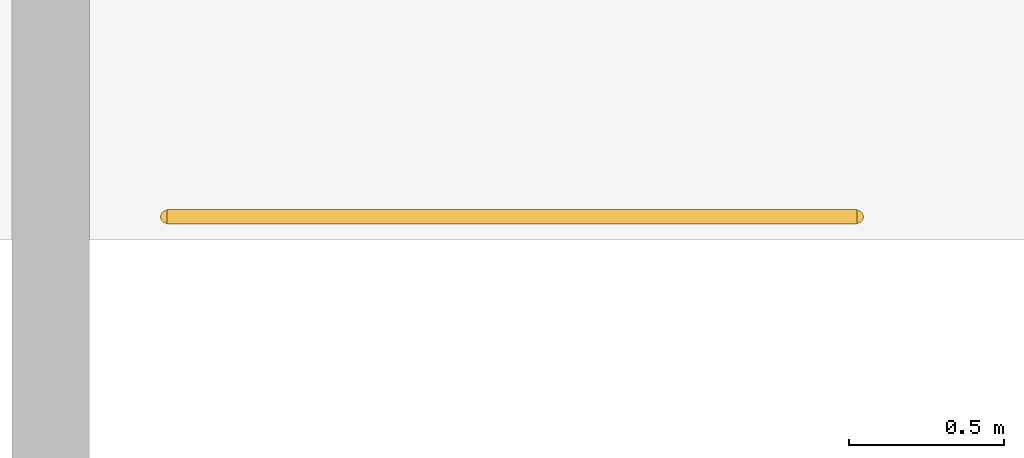
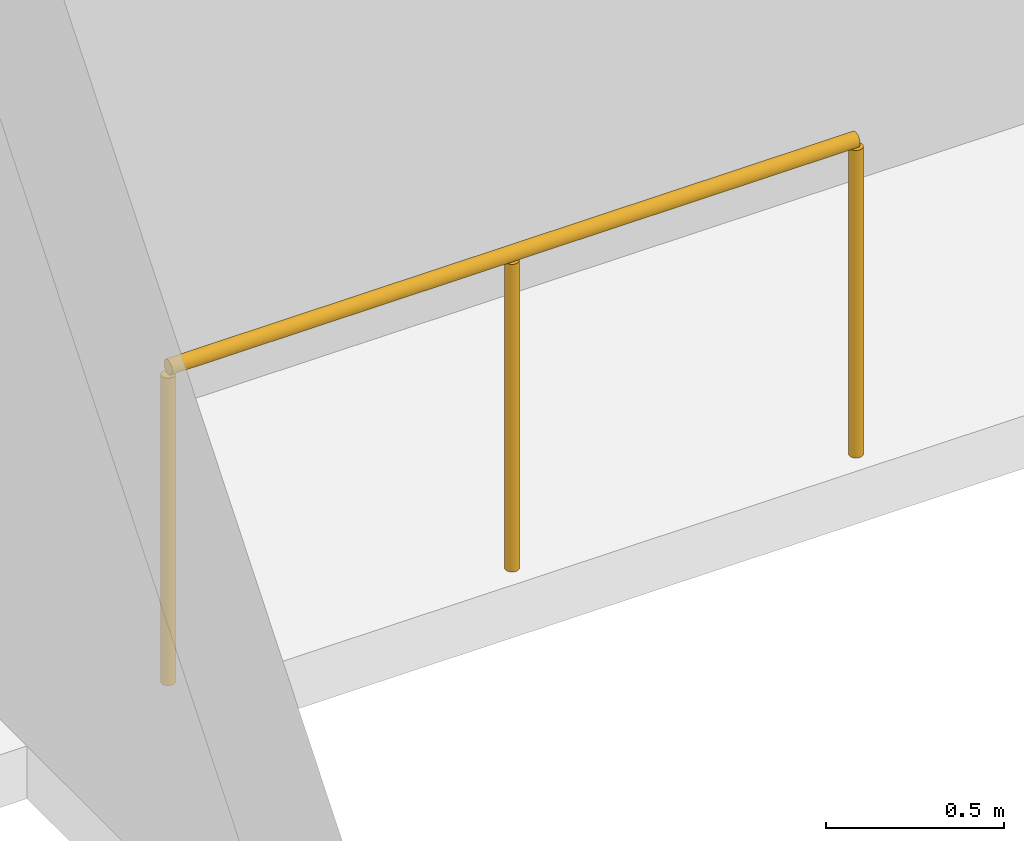
# One storey, part 120 of 142: 1 railing.
"""IFC4 building model written with IfcOpenShell, lengths in metres."""

from ifc_helpers import new_model, si_unit, direction, frame, origin, origin_2d, place, context, subcontext, project, spatial, circle, extrude, material, type_object, element, save


model = new_model("IFC4")

# Units and contexts
model_context = context("Model", 3, precision=1e-05, world=origin(), true_north=direction((0.0, 1.0)))
body_context = subcontext(model_context, "Body", "Model", "MODEL_VIEW")
ifc_project = project(units=[si_unit("LENGTHUNIT", "METRE"), si_unit("AREAUNIT", "SQUARE_METRE"), si_unit("VOLUMEUNIT", "CUBIC_METRE"), si_unit("PLANEANGLEUNIT", "RADIAN"), si_unit("MASSUNIT", "GRAM", prefix="KILO")], contexts=[model_context])

# Site, building, storey
site_placement = place(None, origin())
site = spatial("IfcSite", under=ifc_project, at=site_placement, CompositionType="ELEMENT")
building_placement = place(site_placement, origin())
building = spatial("IfcBuilding", under=site, at=building_placement, Name="Kupolbacken Congress Centre", CompositionType="ELEMENT")
storey_placement = place(building_placement, frame((0.0, 0.0, 14.39990234375)))
storey = spatial("IfcBuildingStorey", under=building, at=storey_placement, Name="L04", CompositionType="ELEMENT", Elevation=14.39990234375)

# Railing
ifc_material = material(Name="Steel S235", Category="steel")
railing_type = type_object("IfcRailingType", Name="RL1 guard 1100 steel balustrade", PredefinedType="GUARDRAIL", material=ifc_material)
railing_placement = place(storey_placement, frame((73.77490234375, 55.614990234375, 0.0)))
element("IfcRailing", 1, at=railing_placement, inside=storey, type_object=railing_type, Name="C/guard/PS2SE/L04", PredefinedType="GUARDRAIL", context=body_context, shape_type="SweptSolid", body=[
    extrude(circle(Radius=0.02392578125, at=origin_2d()), frame((0.0, 0.0, 1.076171875), z_axis=(1.0, 0.0, 0.0), x_axis=(0.0, 1.0, 0.0)), (0.0, 0.0, 1.0), 2.22509765625),
    extrude(circle(Radius=0.02099609375, at=origin_2d()), origin(), (0.0, 0.0, 1.0), 1.052001953125),
    extrude(circle(Radius=0.02099609375, at=origin_2d()), frame((1.112548828125, 0.0, 0.0)), (0.0, 0.0, 1.0), 1.052001953125),
    extrude(circle(Radius=0.02099609375, at=origin_2d()), frame((2.22509765625, 0.0, 0.0)), (0.0, 0.0, 1.0), 1.052001953125),
])

save(model, "model.ifc")
